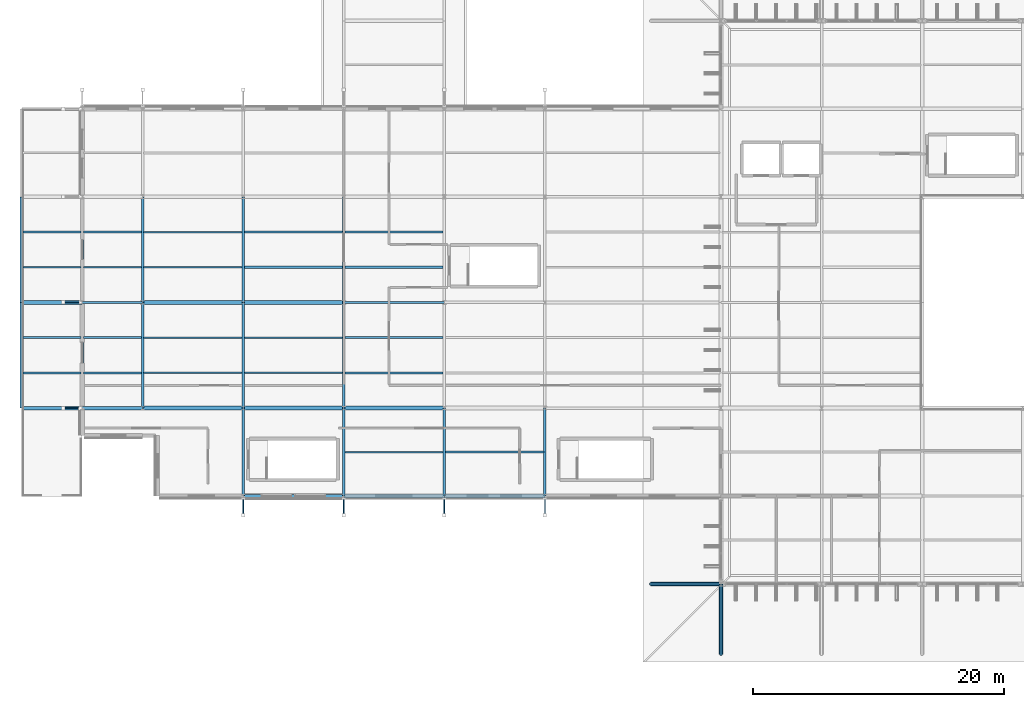
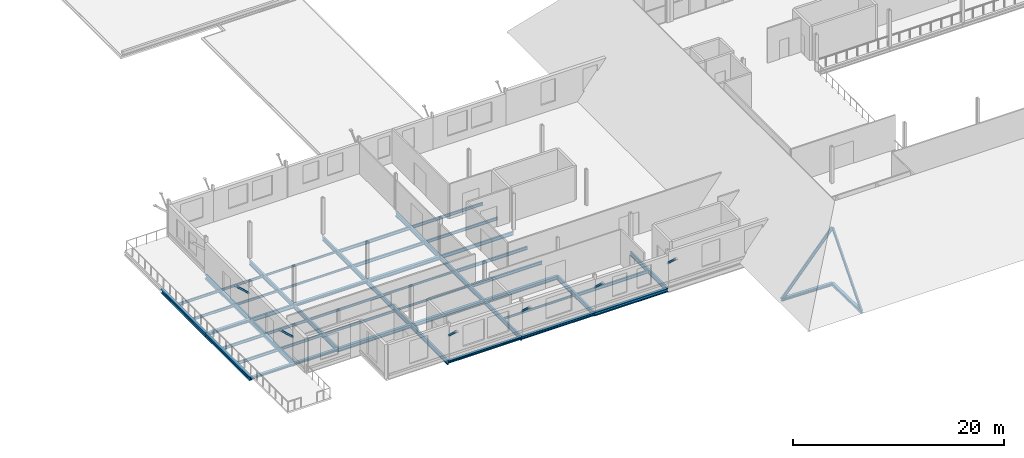
# One storey, part 15 of 93: 51 beams, 8 members.
"""IFC4 building model written with IfcOpenShell, lengths in metres."""

import ifcopenshell
import ifcopenshell.guid

model = None  # the IFC model being written
_history = None  # IfcOwnerHistory: only IFC2X3 demands one
_inside = {}  # id of a spatial element -> (the spatial element, [elements in it])
_under = {}  # id of a project, library or spatial element -> (it, [spatial elements below it])
_declared = {}  # id of a project -> (the project, [libraries it declares])
_typed = {}  # id of a type object -> (the type object, [elements of that type])
_made_of = {}  # id of a material, layer set ... -> (it, [elements and type objects made of it])


def new_model(schema):
    """Start an empty IFC model of exactly this schema.

    Asked for "IFC4X3", IfcOpenShell would pick the latest addendum, in which some entities
    have other attributes; the version numbers below select the first issue.
    IFC2X3 requires an IfcOwnerHistory on every rooted entity: one is made here for all.
    """
    global model, _history
    if schema == "IFC4X3":
        model = ifcopenshell.file(schema_version=(4, 3, 0, 0))
    else:
        model = ifcopenshell.file(schema=schema)
    _inside.clear()
    _under.clear()
    _declared.clear()
    _typed.clear()
    _made_of.clear()
    _history = None
    if model.schema == "IFC2X3":
        org = make("IfcOrganization", Name="unknown")
        user = make(
            "IfcPersonAndOrganization",
            ThePerson=make("IfcPerson", FamilyName="unknown"),
            TheOrganization=org,
        )
        app = make(
            "IfcApplication",
            ApplicationDeveloper=org,
            Version="unknown",
            ApplicationFullName="unknown",
            ApplicationIdentifier="unknown",
        )
        _history = make(
            "IfcOwnerHistory",
            OwningUser=user,
            OwningApplication=app,
            ChangeAction="ADDED",
            CreationDate=0,
        )
    return model


def make(cls, **values):
    """One entity of the class cls with the attributes given. An attribute that is None is left unset."""
    return model.create_entity(
        cls, **{name: value for name, value in values.items() if value is not None}
    )


def rooted(cls, **values):
    """An entity with a GlobalId (a new one), such as an element, a storey or a relation."""
    return make(cls, GlobalId=ifcopenshell.guid.new(), OwnerHistory=_history, **values)


def si_unit(unit_type, name, prefix=None):
    """IfcSIUnit, for example si_unit("LENGTHUNIT", "METRE", prefix="MILLI")."""
    return make("IfcSIUnit", UnitType=unit_type, Prefix=prefix, Name=name)


def assignment(units):
    """IfcUnitAssignment: the units of a project."""
    return None if units is None else make("IfcUnitAssignment", Units=units)


def point(xyz):
    """IfcCartesianPoint."""
    return None if xyz is None else make("IfcCartesianPoint", Coordinates=xyz)


def direction(xyz):
    """IfcDirection."""
    return None if xyz is None else make("IfcDirection", DirectionRatios=xyz)


def frame(location, z_axis=None, x_axis=None):
    """IfcAxis2Placement3D, a coordinate frame: its origin and axes. An axis left out is left unset."""
    return make(
        "IfcAxis2Placement3D",
        Location=point(location),
        Axis=direction(z_axis),
        RefDirection=direction(x_axis),
    )


def frame_2d(location, x_axis=None):
    """IfcAxis2Placement2D, a coordinate frame in the plane: its origin and x axis."""
    return make(
        "IfcAxis2Placement2D", Location=point(location), RefDirection=direction(x_axis)
    )


def origin():
    """The frame at (0, 0, 0) with its axes left unset."""
    return frame((0.0, 0.0, 0.0))


def origin_2d():
    """The frame at (0, 0) in the plane with its x axis left unset."""
    return frame_2d((0.0, 0.0))


def place(relative_to, where):
    """IfcLocalPlacement: puts the frame where relative to a parent placement (None: the world)."""
    return make(
        "IfcLocalPlacement", PlacementRelTo=relative_to, RelativePlacement=where
    )


def context(
    kind, dimensions, precision=None, world=None, true_north=None, identifier=None
):
    """IfcGeometricRepresentationContext, for example the 3D "Model" context."""
    return make(
        "IfcGeometricRepresentationContext",
        ContextIdentifier=identifier,
        ContextType=kind,
        CoordinateSpaceDimension=dimensions,
        Precision=precision,
        WorldCoordinateSystem=world,
        TrueNorth=true_north,
    )


def subcontext(parent, identifier, kind, view, scale=None):
    """IfcGeometricRepresentationSubContext, for example "Body" below "Model"."""
    return make(
        "IfcGeometricRepresentationSubContext",
        ContextIdentifier=identifier,
        ContextType=kind,
        ParentContext=parent,
        TargetScale=scale,
        TargetView=view,
    )


def project(units=None, contexts=None):
    """IfcProject with its units and contexts."""
    return rooted(
        "IfcProject",
        Name="project",
        RepresentationContexts=contexts,
        UnitsInContext=assignment(units),
    )


def spatial(cls, under=None, at=None, **own):
    """A site, building, storey or space (cls), placed at a placement, below another one or the project."""
    s = rooted(cls, ObjectPlacement=at, **own)
    if under is not None:
        _under.setdefault(under.id(), (under, []))[1].append(s)
    return s


def profile(cls, at=None, kind="AREA", **sizes):
    """A parametric profile (cls). Its sizes go by their IFC names, for example OverallWidth=200.0."""
    return make(cls, ProfileType=kind, Position=at, **sizes)


def hollow_rectangle(**sizes):
    """IfcRectangleHollowProfileDef."""
    return profile("IfcRectangleHollowProfileDef", **sizes)


def i_section(**sizes):
    """IfcIShapeProfileDef."""
    return profile("IfcIShapeProfileDef", **sizes)


def extrude(swept, where, along, depth):
    """IfcExtrudedAreaSolid: the profile swept, set in the frame where, extruded along a direction by depth."""
    return make(
        "IfcExtrudedAreaSolid",
        SweptArea=swept,
        Position=where,
        ExtrudedDirection=direction(along),
        Depth=depth,
    )


def shape(context_of_items, identifier, shape_type, items):
    """IfcShapeRepresentation: the items that make up one representation, for example the "Body"."""
    return make(
        "IfcShapeRepresentation",
        ContextOfItems=context_of_items,
        RepresentationIdentifier=identifier,
        RepresentationType=shape_type,
        Items=items,
    )


def material(Name=None, Category=None):
    """IfcMaterial."""
    return make("IfcMaterial", Name=Name, Category=Category)


def material_profile(
    of_material, cross_section, Name=None, Category=None, Priority=None
):
    """IfcMaterialProfile: a cross section and its material."""
    return make(
        "IfcMaterialProfile",
        Name=Name,
        Material=of_material,
        Profile=cross_section,
        Priority=Priority,
        Category=Category,
    )


def profile_set(profiles, Name=None, composite=None):
    """IfcMaterialProfileSet."""
    return make(
        "IfcMaterialProfileSet",
        Name=Name,
        MaterialProfiles=profiles,
        CompositeProfile=composite,
    )


def made_of(thing, what):
    """Note that an element or type object is made of a material, layer set ...; save() writes the relation."""
    if what is not None:
        _made_of.setdefault(what.id(), (what, []))[1].append(thing)
    return thing


def type_object(cls, material=None, **own):
    """A type object (cls), such as IfcWallType, which elements share."""
    return made_of(rooted(cls, **own), material)


def element(
    cls,
    number,
    at=None,
    inside=None,
    cuts=None,
    type_object=None,
    material=None,
    context=None,
    identifier="Body",
    shape_type=None,
    held_by="IfcProductDefinitionShape",
    body=None,
    shapes=None,
    **own,
):
    """One element of the class cls, such as IfcWall. Its Tag is "e" and its number.

    at: its placement. inside: the storey or other place that contains it. cuts: it is an
    opening in that element (IfcRelVoidsElement). A single representation is given by context,
    identifier, shape_type and body (its items); several are given by shapes. held_by: the class
    of the entity that holds the representations. save() writes the other relations.
    """
    e = rooted(cls, Tag="e%d" % number, ObjectPlacement=at, **own)
    if body is not None:
        shapes = [shape(context, identifier, shape_type, body)]
    if shapes is not None:
        e.Representation = make(held_by, Representations=shapes)
    if inside is not None:
        _inside.setdefault(inside.id(), (inside, []))[1].append(e)
    if cuts is not None:
        rooted(
            "IfcRelVoidsElement", RelatingBuildingElement=cuts, RelatedOpeningElement=e
        )
    if type_object is not None:
        _typed.setdefault(type_object.id(), (type_object, []))[1].append(e)
    return made_of(e, material)


def aggregate(whole, parts):
    """IfcRelAggregates: a whole, such as a stair, and the parts it consists of."""
    return rooted("IfcRelAggregates", RelatingObject=whole, RelatedObjects=parts)


def save(model, path):
    """Write the relations noted so far, then the file.

    IfcRelAggregates (storeys below a building ...), IfcRelContainedInSpatialStructure (elements
    in a storey), IfcRelDefinesByType, IfcRelAssociatesMaterial and IfcRelDeclares: one each for
    every whole, place, type object, material and project.
    """
    for whole, parts in _under.values():
        aggregate(whole, parts)
    for where, things in _inside.values():
        rooted(
            "IfcRelContainedInSpatialStructure",
            RelatedElements=things,
            RelatingStructure=where,
        )
    for kind, things in _typed.values():
        rooted("IfcRelDefinesByType", RelatedObjects=things, RelatingType=kind)
    for what, things in _made_of.values():
        rooted("IfcRelAssociatesMaterial", RelatedObjects=things, RelatingMaterial=what)
    for by, libraries in _declared.values():
        rooted("IfcRelDeclares", RelatingContext=by, RelatedDefinitions=libraries)
    model.write(path)


model = new_model("IFC4")

# Units and contexts
model_context = context("Model", 3, precision=1e-05, world=origin(), true_north=direction((0.0, 1.0)))
body_context = subcontext(model_context, "Body", "Model", "MODEL_VIEW")
ifc_project = project(units=[si_unit("LENGTHUNIT", "METRE"), si_unit("AREAUNIT", "SQUARE_METRE"), si_unit("VOLUMEUNIT", "CUBIC_METRE"), si_unit("PLANEANGLEUNIT", "RADIAN"), si_unit("MASSUNIT", "GRAM", prefix="KILO")], contexts=[model_context])

# Site, building, storey
site_placement = place(None, origin())
site = spatial("IfcSite", under=ifc_project, at=site_placement, CompositionType="ELEMENT")
building_placement = place(site_placement, origin())
building = spatial("IfcBuilding", under=site, at=building_placement, Name="Vekula Escarpment Museum", CompositionType="ELEMENT")
storey_placement = place(building_placement, frame((0.0, 0.0, 22.199951171875)))
storey = spatial("IfcBuildingStorey", under=building, at=storey_placement, Name="L05", CompositionType="ELEMENT", Elevation=22.199951171875)

# Beams
ifc_material_1 = material(Name="Steel S355", Category="steel")
ifc_material_profile_1 = material_profile(ifc_material_1, i_section(OverallWidth=0.300048828125, OverallDepth=0.320068359375, WebThickness=0.011474609375, FlangeThickness=0.0205078125, FilletRadius=0.027099609375, at=origin_2d()), Name="HEB 320")
ifc_profile_set_1 = profile_set([ifc_material_profile_1], Name="Steel S355")
beam_type_1 = type_object("IfcBeamType", Name="BM-EAVE-OUT", PredefinedType="BEAM", material=ifc_profile_set_1)
for number, where, z_axis, x_axis, name in (
    (1, (70.0, 45.60009765625, -0.39990234375), (0.0, -0.999770980386, 0.021400625659), (1.0, 0.0, 0.0), "Great Hall South Eave Outrigger 70"),
    (2, (70.0, 45.60009765625, -0.39990234375), (-0.999770980386, 0.0, 0.021400625659), (0.0, -1.0, 0.0), "Great Hall West Eave Outrigger 45"),
):
    element("IfcBeam", number, at=place(storey_placement, frame(where, z_axis=z_axis, x_axis=x_axis)), inside=storey, type_object=beam_type_1, Name=name, PredefinedType="BEAM", context=body_context, shape_type="SweptSolid", body=[
        extrude(i_section(OverallWidth=0.300048828125, OverallDepth=0.320068359375, WebThickness=0.011474609375, FlangeThickness=0.0205078125, FilletRadius=0.027099609375, at=origin_2d()), origin(), (0.0, 0.0, 1.0), 5.601318359375),
    ])
ifc_material_2 = material(Name="Steel S355", Category="steel")
ifc_material_profile_2 = material_profile(ifc_material_2, i_section(OverallWidth=0.280029296875, OverallDepth=0.280029296875, WebThickness=0.010498046875, FlangeThickness=0.01806640625, FilletRadius=0.02392578125, at=origin_2d()), Name="HEB 280")
ifc_profile_set_2 = profile_set([ifc_material_profile_2], Name="Steel S355")
beam_type_2 = type_object("IfcBeamType", Name="BM-GIRD-HEB280", PredefinedType="BEAM", material=ifc_profile_set_2)
beam_1_placement = place(storey_placement, frame((32.0, 52.60009765625, -0.35986328125), z_axis=(1.0, 0.0, 0.0), x_axis=(0.0, 1.0, 0.0)))
element("IfcBeam", 3, at=beam_1_placement, inside=storey, type_object=beam_type_2, Name="Beam X L05 1962", PredefinedType="BEAM", context=body_context, shape_type="SweptSolid", body=[
    extrude(i_section(OverallWidth=0.280029296875, OverallDepth=0.280029296875, WebThickness=0.010498046875, FlangeThickness=0.01806640625, FilletRadius=0.02392578125, at=origin_2d()), origin(), (0.0, 0.0, 1.0), 8.0),
])
ifc_material_3 = material(Name="Steel S355", Category="steel")
ifc_material_profile_3 = material_profile(ifc_material_3, i_section(OverallWidth=0.300048828125, OverallDepth=0.320068359375, WebThickness=0.011474609375, FlangeThickness=0.0205078125, FilletRadius=0.027099609375, at=origin_2d()), Name="HEB 320")
ifc_profile_set_3 = profile_set([ifc_material_profile_3], Name="Steel S355")
beam_type_3 = type_object("IfcBeamType", Name="BM-GIRD-HEB320", PredefinedType="BEAM", material=ifc_profile_set_3)
beam_2_placement = place(storey_placement, frame((40.0, 52.60009765625, -0.3798828125), z_axis=(1.0, 0.0, 0.0), x_axis=(0.0, 1.0, 0.0)))
element("IfcBeam", 4, at=beam_2_placement, inside=storey, type_object=beam_type_3, Name="Beam X L05 1963", PredefinedType="BEAM", context=body_context, shape_type="SweptSolid", body=[
    extrude(i_section(OverallWidth=0.300048828125, OverallDepth=0.320068359375, WebThickness=0.011474609375, FlangeThickness=0.0205078125, FilletRadius=0.027099609375, at=origin_2d()), origin(), (0.0, 0.0, 1.0), 8.0),
])
beam_3_placement = place(storey_placement, frame((14.39990234375, 68.0, -0.3798828125), z_axis=(1.0, 0.0, 0.0), x_axis=(0.0, 1.0, 0.0)))
element("IfcBeam", 5, at=beam_3_placement, inside=storey, type_object=beam_type_3, Name="Beam X L05 1992", PredefinedType="BEAM", context=body_context, shape_type="SweptSolid", body=[
    extrude(i_section(OverallWidth=0.300048828125, OverallDepth=0.320068359375, WebThickness=0.011474609375, FlangeThickness=0.0205078125, FilletRadius=0.027099609375, at=origin_2d()), origin(), (0.0, 0.0, 1.0), 4.800048828125),
])
beam_4_placement = place(storey_placement, frame((24.0, 68.0, -0.3798828125), z_axis=(1.0, 0.0, 0.0), x_axis=(0.0, 1.0, 0.0)))
element("IfcBeam", 6, at=beam_4_placement, inside=storey, type_object=beam_type_3, Name="Beam X L05 1994", PredefinedType="BEAM", context=body_context, shape_type="SweptSolid", body=[
    extrude(i_section(OverallWidth=0.300048828125, OverallDepth=0.320068359375, WebThickness=0.011474609375, FlangeThickness=0.0205078125, FilletRadius=0.027099609375, at=origin_2d()), origin(), (0.0, 0.0, 1.0), 8.0),
])
ifc_material_4 = material(Name="Steel S355", Category="steel")
ifc_material_profile_4 = material_profile(ifc_material_4, i_section(OverallWidth=0.300048828125, OverallDepth=0.39990234375, WebThickness=0.013427734375, FlangeThickness=0.02392578125, FilletRadius=0.027099609375, at=origin_2d()), Name="HEB 400")
ifc_profile_set_4 = profile_set([ifc_material_profile_4], Name="Steel S355")
beam_type_4 = type_object("IfcBeamType", Name="BM-GIRD-HEB400", PredefinedType="BEAM", material=ifc_profile_set_4)
for number, where, z_axis, x_axis, name in (
    (7, (48.0, 52.60009765625, -0.419921875), (1.0, 0.0, 0.0), (0.0, 1.0, 0.0), "Beam X L05 1964"),
    (8, (32.0, 68.0, -0.419921875), (1.0, 0.0, 0.0), (0.0, 1.0, 0.0), "Beam X L05 1995"),
):
    element("IfcBeam", number, at=place(storey_placement, frame(where, z_axis=z_axis, x_axis=x_axis)), inside=storey, type_object=beam_type_4, Name=name, PredefinedType="BEAM", context=body_context, shape_type="SweptSolid", body=[
        extrude(i_section(OverallWidth=0.300048828125, OverallDepth=0.39990234375, WebThickness=0.013427734375, FlangeThickness=0.02392578125, FilletRadius=0.027099609375, at=origin_2d()), origin(), (0.0, 0.0, 1.0), 8.0),
    ])
ifc_material_5 = material(Name="Steel S355", Category="steel")
ifc_material_profile_5 = material_profile(ifc_material_5, i_section(OverallWidth=0.179931640625, OverallDepth=0.39990234375, WebThickness=0.008544921875, FlangeThickness=0.013427734375, FilletRadius=0.02099609375, at=origin_2d()), Name="IPE 400")
ifc_profile_set_5 = profile_set([ifc_material_profile_5], Name="Steel S355")
beam_type_5 = type_object("IfcBeamType", Name="BM-GIRD-IPE400", PredefinedType="BEAM", material=ifc_profile_set_5)
beam_5_placement = place(storey_placement, frame((40.0, 68.0, -0.419921875), z_axis=(1.0, 0.0, 0.0), x_axis=(0.0, 1.0, 0.0)))
element("IfcBeam", 9, at=beam_5_placement, inside=storey, type_object=beam_type_5, Name="Beam X L05 1996", PredefinedType="BEAM", context=body_context, shape_type="SweptSolid", body=[
    extrude(i_section(OverallWidth=0.179931640625, OverallDepth=0.39990234375, WebThickness=0.008544921875, FlangeThickness=0.013427734375, FilletRadius=0.02099609375, at=origin_2d()), origin(), (0.0, 0.0, 1.0), 8.0),
])
ifc_material_6 = material(Name="Steel S355", Category="steel")
ifc_material_profile_6 = material_profile(ifc_material_6, i_section(OverallWidth=0.18994140625, OverallDepth=0.449951171875, WebThickness=0.009521484375, FlangeThickness=0.0146484375, FilletRadius=0.02099609375, at=origin_2d()), Name="IPE 450")
ifc_profile_set_6 = profile_set([ifc_material_profile_6], Name="Steel S355")
beam_type_6 = type_object("IfcBeamType", Name="BM-GIRD-IPE450", PredefinedType="BEAM", material=ifc_profile_set_6)
beam_6_placement = place(storey_placement, frame((19.199951171875, 68.0, -0.445068359375), z_axis=(1.0, 0.0, 0.0), x_axis=(0.0, 1.0, 0.0)))
element("IfcBeam", 10, at=beam_6_placement, inside=storey, type_object=beam_type_6, Name="Beam X L05 1993", PredefinedType="BEAM", context=body_context, shape_type="SweptSolid", body=[
    extrude(i_section(OverallWidth=0.18994140625, OverallDepth=0.449951171875, WebThickness=0.009521484375, FlangeThickness=0.0146484375, FilletRadius=0.02099609375, at=origin_2d()), origin(), (0.0, 0.0, 1.0), 4.800048828125),
])
ifc_material_7 = material(Name="Steel S355", Category="steel")
ifc_material_profile_7 = material_profile(ifc_material_7, i_section(OverallWidth=0.199951171875, OverallDepth=0.5, WebThickness=0.01025390625, FlangeThickness=0.01611328125, FilletRadius=0.02099609375, at=origin_2d()), Name="IPE 500")
ifc_profile_set_7 = profile_set([ifc_material_profile_7], Name="Steel S355")
beam_type_7 = type_object("IfcBeamType", Name="BM-GIRD-IPE500", PredefinedType="BEAM", material=ifc_profile_set_7)
for number, where, z_axis, x_axis, name in (
    (11, (24.0, 59.60009765625, -0.469970703125), (0.0, 1.0, 0.0), (-1.0, 0.0, 0.0), "Beam Y L05 2085"),
    (12, (24.0, 68.0, -0.469970703125), (0.0, 1.0, 0.0), (-1.0, 0.0, 0.0), "Beam Y L05 2086"),
):
    element("IfcBeam", number, at=place(storey_placement, frame(where, z_axis=z_axis, x_axis=x_axis)), inside=storey, type_object=beam_type_7, Name=name, PredefinedType="BEAM", context=body_context, shape_type="SweptSolid", body=[
        extrude(i_section(OverallWidth=0.199951171875, OverallDepth=0.5, WebThickness=0.01025390625, FlangeThickness=0.01611328125, FilletRadius=0.02099609375, at=origin_2d()), origin(), (0.0, 0.0, 1.0), 8.39990234375),
    ])
beam_7_placement = place(storey_placement, frame((32.0, 52.60009765625, -0.469970703125), z_axis=(0.0, 1.0, 0.0), x_axis=(-1.0, 0.0, 0.0)))
element("IfcBeam", 13, at=beam_7_placement, inside=storey, type_object=beam_type_7, Name="Beam Y L05 2088", PredefinedType="BEAM", context=body_context, shape_type="SweptSolid", body=[
    extrude(i_section(OverallWidth=0.199951171875, OverallDepth=0.5, WebThickness=0.01025390625, FlangeThickness=0.01611328125, FilletRadius=0.02099609375, at=origin_2d()), origin(), (0.0, 0.0, 1.0), 7.0),
])
for number, where, z_axis, x_axis, name in (
    (14, (32.0, 59.60009765625, -0.469970703125), (0.0, 1.0, 0.0), (-1.0, 0.0, 0.0), "Beam Y L05 2089"),
    (15, (32.0, 68.0, -0.469970703125), (0.0, 1.0, 0.0), (-1.0, 0.0, 0.0), "Beam Y L05 2090"),
):
    element("IfcBeam", number, at=place(storey_placement, frame(where, z_axis=z_axis, x_axis=x_axis)), inside=storey, type_object=beam_type_7, Name=name, PredefinedType="BEAM", context=body_context, shape_type="SweptSolid", body=[
        extrude(i_section(OverallWidth=0.199951171875, OverallDepth=0.5, WebThickness=0.01025390625, FlangeThickness=0.01611328125, FilletRadius=0.02099609375, at=origin_2d()), origin(), (0.0, 0.0, 1.0), 8.39990234375),
    ])
beam_8_placement = place(storey_placement, frame((40.0, 52.60009765625, -0.469970703125), z_axis=(0.0, 1.0, 0.0), x_axis=(-1.0, 0.0, 0.0)))
element("IfcBeam", 16, at=beam_8_placement, inside=storey, type_object=beam_type_7, Name="Beam Y L05 2094", PredefinedType="BEAM", context=body_context, shape_type="SweptSolid", body=[
    extrude(i_section(OverallWidth=0.199951171875, OverallDepth=0.5, WebThickness=0.01025390625, FlangeThickness=0.01611328125, FilletRadius=0.02099609375, at=origin_2d()), origin(), (0.0, 0.0, 1.0), 7.0),
])
for number, where, z_axis, x_axis, name in (
    (17, (40.0, 59.60009765625, -0.469970703125), (0.0, 1.0, 0.0), (-1.0, 0.0, 0.0), "Beam Y L05 2095"),
    (18, (40.0, 68.0, -0.469970703125), (0.0, 1.0, 0.0), (-1.0, 0.0, 0.0), "Beam Y L05 2096"),
):
    element("IfcBeam", number, at=place(storey_placement, frame(where, z_axis=z_axis, x_axis=x_axis)), inside=storey, type_object=beam_type_7, Name=name, PredefinedType="BEAM", context=body_context, shape_type="SweptSolid", body=[
        extrude(i_section(OverallWidth=0.199951171875, OverallDepth=0.5, WebThickness=0.01025390625, FlangeThickness=0.01611328125, FilletRadius=0.02099609375, at=origin_2d()), origin(), (0.0, 0.0, 1.0), 8.39990234375),
    ])
for number, where, z_axis, x_axis, name in (
    (19, (48.0, 52.60009765625, -0.469970703125), (0.0, 1.0, 0.0), (-1.0, 0.0, 0.0), "Beam Y L05 2104"),
    (20, (56.0, 52.60009765625, -0.469970703125), (0.0, 1.0, 0.0), (-1.0, 0.0, 0.0), "Beam Y L05 2115"),
):
    element("IfcBeam", number, at=place(storey_placement, frame(where, z_axis=z_axis, x_axis=x_axis)), inside=storey, type_object=beam_type_7, Name=name, PredefinedType="BEAM", context=body_context, shape_type="SweptSolid", body=[
        extrude(i_section(OverallWidth=0.199951171875, OverallDepth=0.5, WebThickness=0.01025390625, FlangeThickness=0.01611328125, FilletRadius=0.02099609375, at=origin_2d()), origin(), (0.0, 0.0, 1.0), 7.0),
    ])
ifc_material_8 = material(Name="Steel S355", Category="steel")
ifc_material_profile_8 = material_profile(ifc_material_8, i_section(OverallWidth=0.1201171875, OverallDepth=0.239990234375, WebThickness=0.006103515625, FlangeThickness=0.009765625, FilletRadius=0.014892578125, at=origin_2d()), Name="IPE 240")
ifc_profile_set_8 = profile_set([ifc_material_profile_8], Name="Steel S355")
beam_type_8 = type_object("IfcBeamType", Name="BM-JST-IPE240", PredefinedType="JOIST", material=ifc_profile_set_8)
for number, where, z_axis, x_axis, name in (
    (21, (24.090087890625, 70.800048828125, -0.33984375), (1.0, 0.0, 0.0), (0.0, 1.0, 0.0), "Secondary Joist L05 1300"),
    (22, (24.090087890625, 73.60009765625, -0.33984375), (1.0, 0.0, 0.0), (0.0, 1.0, 0.0), "Secondary Joist L05 1301"),
    (23, (32.090087890625, 62.39990234375, -0.33984375), (1.0, 0.0, 0.0), (0.0, 1.0, 0.0), "Secondary Joist L05 1303"),
    (24, (32.090087890625, 65.199951171875, -0.33984375), (1.0, 0.0, 0.0), (0.0, 1.0, 0.0), "Secondary Joist L05 1304"),
    (25, (40.090087890625, 56.10009765625, -0.33984375), (1.0, 0.0, 0.0), (0.0, 1.0, 0.0), "Secondary Joist L05 1310"),
):
    element("IfcBeam", number, at=place(storey_placement, frame(where, z_axis=z_axis, x_axis=x_axis)), inside=storey, type_object=beam_type_8, Name=name, PredefinedType="JOIST", context=body_context, shape_type="SweptSolid", body=[
        extrude(i_section(OverallWidth=0.1201171875, OverallDepth=0.239990234375, WebThickness=0.006103515625, FlangeThickness=0.009765625, FilletRadius=0.014892578125, at=origin_2d()), origin(), (0.0, 0.0, 1.0), 7.81982421875),
    ])
ifc_material_9 = material(Name="Steel S355", Category="steel")
ifc_material_profile_9 = material_profile(ifc_material_9, i_section(OverallWidth=0.135009765625, OverallDepth=0.27001953125, WebThickness=0.006591796875, FlangeThickness=0.01025390625, FilletRadius=0.014892578125, at=origin_2d()), Name="IPE 270")
ifc_profile_set_9 = profile_set([ifc_material_profile_9], Name="Steel S355")
beam_type_9 = type_object("IfcBeamType", Name="BM-JST-IPE270", PredefinedType="JOIST", material=ifc_profile_set_9)
for number, where, z_axis, x_axis, name in (
    (26, (19.2900390625, 70.800048828125, -0.35498046875), (1.0, 0.0, 0.0), (0.0, 1.0, 0.0), "Secondary Joist L05 1295"),
    (27, (19.2900390625, 73.60009765625, -0.35498046875), (1.0, 0.0, 0.0), (0.0, 1.0, 0.0), "Secondary Joist L05 1296"),
):
    element("IfcBeam", number, at=place(storey_placement, frame(where, z_axis=z_axis, x_axis=x_axis)), inside=storey, type_object=beam_type_9, Name=name, PredefinedType="JOIST", context=body_context, shape_type="SweptSolid", body=[
        extrude(i_section(OverallWidth=0.135009765625, OverallDepth=0.27001953125, WebThickness=0.006591796875, FlangeThickness=0.01025390625, FilletRadius=0.014892578125, at=origin_2d()), origin(), (0.0, 0.0, 1.0), 4.619873046875),
    ])
for number, where, z_axis, x_axis, name in (
    (28, (24.090087890625, 62.39990234375, -0.35498046875), (1.0, 0.0, 0.0), (0.0, 1.0, 0.0), "Secondary Joist L05 1298"),
    (29, (24.090087890625, 65.199951171875, -0.35498046875), (1.0, 0.0, 0.0), (0.0, 1.0, 0.0), "Secondary Joist L05 1299"),
):
    element("IfcBeam", number, at=place(storey_placement, frame(where, z_axis=z_axis, x_axis=x_axis)), inside=storey, type_object=beam_type_9, Name=name, PredefinedType="JOIST", context=body_context, shape_type="SweptSolid", body=[
        extrude(i_section(OverallWidth=0.135009765625, OverallDepth=0.27001953125, WebThickness=0.006591796875, FlangeThickness=0.01025390625, FilletRadius=0.014892578125, at=origin_2d()), origin(), (0.0, 0.0, 1.0), 7.81982421875),
    ])
ifc_material_10 = material(Name="Steel S355", Category="steel")
ifc_material_profile_10 = material_profile(ifc_material_10, i_section(OverallWidth=0.14990234375, OverallDepth=0.300048828125, WebThickness=0.007080078125, FlangeThickness=0.0107421875, FilletRadius=0.014892578125, at=origin_2d()), Name="IPE 300")
ifc_profile_set_10 = profile_set([ifc_material_profile_10], Name="Steel S355")
beam_type_10 = type_object("IfcBeamType", Name="BM-JST-IPE300", PredefinedType="JOIST", material=ifc_profile_set_10)
for number, where, z_axis, x_axis, name in (
    (30, (14.489990234375, 70.800048828125, -0.369873046875), (1.0, 0.0, 0.0), (0.0, 1.0, 0.0), "Secondary Joist L05 1290"),
    (31, (14.489990234375, 73.60009765625, -0.369873046875), (1.0, 0.0, 0.0), (0.0, 1.0, 0.0), "Secondary Joist L05 1291"),
):
    element("IfcBeam", number, at=place(storey_placement, frame(where, z_axis=z_axis, x_axis=x_axis)), inside=storey, type_object=beam_type_10, Name=name, PredefinedType="JOIST", context=body_context, shape_type="SweptSolid", body=[
        extrude(i_section(OverallWidth=0.14990234375, OverallDepth=0.300048828125, WebThickness=0.007080078125, FlangeThickness=0.0107421875, FilletRadius=0.014892578125, at=origin_2d()), origin(), (0.0, 0.0, 1.0), 4.6201171875),
    ])
for number, where, z_axis, x_axis, name in (
    (32, (19.2900390625, 62.39990234375, -0.369873046875), (1.0, 0.0, 0.0), (0.0, 1.0, 0.0), "Secondary Joist L05 1293"),
    (33, (19.2900390625, 65.199951171875, -0.369873046875), (1.0, 0.0, 0.0), (0.0, 1.0, 0.0), "Secondary Joist L05 1294"),
):
    element("IfcBeam", number, at=place(storey_placement, frame(where, z_axis=z_axis, x_axis=x_axis)), inside=storey, type_object=beam_type_10, Name=name, PredefinedType="JOIST", context=body_context, shape_type="SweptSolid", body=[
        extrude(i_section(OverallWidth=0.14990234375, OverallDepth=0.300048828125, WebThickness=0.007080078125, FlangeThickness=0.0107421875, FilletRadius=0.014892578125, at=origin_2d()), origin(), (0.0, 0.0, 1.0), 4.619873046875),
    ])
ifc_material_11 = material(Name="Steel S355", Category="steel")
ifc_material_profile_11 = material_profile(ifc_material_11, i_section(OverallWidth=0.159912109375, OverallDepth=0.330078125, WebThickness=0.007568359375, FlangeThickness=0.011474609375, FilletRadius=0.01806640625, at=origin_2d()), Name="IPE 330")
ifc_profile_set_11 = profile_set([ifc_material_profile_11], Name="Steel S355")
beam_type_11 = type_object("IfcBeamType", Name="BM-JST-IPE330", PredefinedType="JOIST", material=ifc_profile_set_11)
for number, where, z_axis, x_axis, name in (
    (34, (14.489990234375, 62.39990234375, -0.385009765625), (1.0, 0.0, 0.0), (0.0, 1.0, 0.0), "Secondary Joist L05 1288"),
    (35, (14.489990234375, 65.199951171875, -0.385009765625), (1.0, 0.0, 0.0), (0.0, 1.0, 0.0), "Secondary Joist L05 1289"),
):
    element("IfcBeam", number, at=place(storey_placement, frame(where, z_axis=z_axis, x_axis=x_axis)), inside=storey, type_object=beam_type_11, Name=name, PredefinedType="JOIST", context=body_context, shape_type="SweptSolid", body=[
        extrude(i_section(OverallWidth=0.159912109375, OverallDepth=0.330078125, WebThickness=0.007568359375, FlangeThickness=0.011474609375, FilletRadius=0.01806640625, at=origin_2d()), origin(), (0.0, 0.0, 1.0), 4.6201171875),
    ])
for number, where, z_axis, x_axis, name in (
    (36, (40.090087890625, 70.800048828125, -0.385009765625), (1.0, 0.0, 0.0), (0.0, 1.0, 0.0), "Secondary Joist L05 1313"),
    (37, (40.090087890625, 73.60009765625, -0.385009765625), (1.0, 0.0, 0.0), (0.0, 1.0, 0.0), "Secondary Joist L05 1314"),
):
    element("IfcBeam", number, at=place(storey_placement, frame(where, z_axis=z_axis, x_axis=x_axis)), inside=storey, type_object=beam_type_11, Name=name, PredefinedType="JOIST", context=body_context, shape_type="SweptSolid", body=[
        extrude(i_section(OverallWidth=0.159912109375, OverallDepth=0.330078125, WebThickness=0.007568359375, FlangeThickness=0.011474609375, FilletRadius=0.01806640625, at=origin_2d()), origin(), (0.0, 0.0, 1.0), 7.81982421875),
    ])
ifc_material_12 = material(Name="Steel S355", Category="steel")
ifc_material_profile_12 = material_profile(ifc_material_12, i_section(OverallWidth=0.169921875, OverallDepth=0.360107421875, WebThickness=0.008056640625, FlangeThickness=0.0126953125, FilletRadius=0.01806640625, at=origin_2d()), Name="IPE 360")
ifc_profile_set_12 = profile_set([ifc_material_profile_12], Name="Steel S355")
beam_type_12 = type_object("IfcBeamType", Name="BM-JST-IPE360", PredefinedType="JOIST", material=ifc_profile_set_12)
for number, where, z_axis, x_axis, name in (
    (38, (32.090087890625, 70.800048828125, -0.39990234375), (1.0, 0.0, 0.0), (0.0, 1.0, 0.0), "Secondary Joist L05 1305"),
    (39, (32.090087890625, 73.60009765625, -0.39990234375), (1.0, 0.0, 0.0), (0.0, 1.0, 0.0), "Secondary Joist L05 1306"),
    (40, (40.090087890625, 62.39990234375, -0.39990234375), (1.0, 0.0, 0.0), (0.0, 1.0, 0.0), "Secondary Joist L05 1311"),
    (41, (40.090087890625, 65.199951171875, -0.39990234375), (1.0, 0.0, 0.0), (0.0, 1.0, 0.0), "Secondary Joist L05 1312"),
    (42, (48.090087890625, 56.10009765625, -0.39990234375), (1.0, 0.0, 0.0), (0.0, 1.0, 0.0), "Secondary Joist L05 1327"),
):
    element("IfcBeam", number, at=place(storey_placement, frame(where, z_axis=z_axis, x_axis=x_axis)), inside=storey, type_object=beam_type_12, Name=name, PredefinedType="JOIST", context=body_context, shape_type="SweptSolid", body=[
        extrude(i_section(OverallWidth=0.169921875, OverallDepth=0.360107421875, WebThickness=0.008056640625, FlangeThickness=0.0126953125, FilletRadius=0.01806640625, at=origin_2d()), origin(), (0.0, 0.0, 1.0), 7.81982421875),
    ])
ifc_material_13 = material(Name="Steel S355", Category="steel")
ifc_material_profile_13 = material_profile(ifc_material_13, i_section(OverallWidth=0.280029296875, OverallDepth=0.27001953125, WebThickness=0.008056640625, FlangeThickness=0.012939453125, FilletRadius=0.02392578125, at=origin_2d()), Name="HEA 280")
ifc_profile_set_13 = profile_set([ifc_material_profile_13], Name="Steel S355")
beam_type_13 = type_object("IfcBeamType", Name="BM-SPAN-HEA280", PredefinedType="SPANDREL", material=ifc_profile_set_13)
for number, where, z_axis, x_axis, name in (
    (43, (14.39990234375, 59.60009765625, -0.35498046875), (1.0, 0.0, 0.0), (0.0, 1.0, 0.0), "Beam X L05 1975"),
    (44, (19.199951171875, 59.60009765625, -0.35498046875), (1.0, 0.0, 0.0), (0.0, 1.0, 0.0), "Beam X L05 1976"),
):
    element("IfcBeam", number, at=place(storey_placement, frame(where, z_axis=z_axis, x_axis=x_axis)), inside=storey, type_object=beam_type_13, Name=name, PredefinedType="SPANDREL", context=body_context, shape_type="SweptSolid", body=[
        extrude(i_section(OverallWidth=0.280029296875, OverallDepth=0.27001953125, WebThickness=0.008056640625, FlangeThickness=0.012939453125, FilletRadius=0.02392578125, at=origin_2d()), origin(), (0.0, 0.0, 1.0), 4.800048828125),
    ])
ifc_material_14 = material(Name="Steel S355", Category="steel")
ifc_material_profile_14 = material_profile(ifc_material_14, i_section(OverallWidth=0.300048828125, OverallDepth=0.389892578125, WebThickness=0.010986328125, FlangeThickness=0.01904296875, FilletRadius=0.027099609375, at=origin_2d()), Name="HEA 400")
ifc_profile_set_14 = profile_set([ifc_material_profile_14], Name="Steel S355")
beam_type_14 = type_object("IfcBeamType", Name="BM-SPAN-HEA400", PredefinedType="SPANDREL", material=ifc_profile_set_14)
for number, where, z_axis, x_axis, name in (
    (45, (24.0, 59.60009765625, -0.4150390625), (1.0, 0.0, 0.0), (0.0, 1.0, 0.0), "Beam X L05 1977"),
    (46, (32.0, 59.60009765625, -0.4150390625), (1.0, 0.0, 0.0), (0.0, 1.0, 0.0), "Beam X L05 1978"),
    (47, (40.0, 59.60009765625, -0.4150390625), (1.0, 0.0, 0.0), (0.0, 1.0, 0.0), "Beam X L05 1979"),
):
    element("IfcBeam", number, at=place(storey_placement, frame(where, z_axis=z_axis, x_axis=x_axis)), inside=storey, type_object=beam_type_14, Name=name, PredefinedType="SPANDREL", context=body_context, shape_type="SweptSolid", body=[
        extrude(i_section(OverallWidth=0.300048828125, OverallDepth=0.389892578125, WebThickness=0.010986328125, FlangeThickness=0.01904296875, FilletRadius=0.027099609375, at=origin_2d()), origin(), (0.0, 0.0, 1.0), 8.0),
    ])
ifc_material_15 = material(Name="Steel S355", Category="steel")
ifc_material_profile_15 = material_profile(ifc_material_15, i_section(OverallWidth=0.300048828125, OverallDepth=0.43994140625, WebThickness=0.011474609375, FlangeThickness=0.02099609375, FilletRadius=0.027099609375, at=origin_2d()), Name="HEA 450")
ifc_profile_set_15 = profile_set([ifc_material_profile_15], Name="Steel S355")
beam_type_15 = type_object("IfcBeamType", Name="BM-SPAN-HEA450", PredefinedType="SPANDREL", material=ifc_profile_set_15)
for number, where, z_axis, x_axis, name in (
    (48, (14.39990234375, 59.60009765625, -0.419921875), (0.0, 1.0, 0.0), (-1.0, 0.0, 0.0), "Beam Y L05 2079"),
    (49, (14.39990234375, 68.0, -0.419921875), (0.0, 1.0, 0.0), (-1.0, 0.0, 0.0), "Beam Y L05 2080"),
    (50, (19.199951171875, 59.60009765625, -0.43994140625), (0.0, 1.0, 0.0), (-1.0, 0.0, 0.0), "Beam Y L05 2082"),
    (51, (19.199951171875, 68.0, -0.43994140625), (0.0, 1.0, 0.0), (-1.0, 0.0, 0.0), "Beam Y L05 2083"),
):
    element("IfcBeam", number, at=place(storey_placement, frame(where, z_axis=z_axis, x_axis=x_axis)), inside=storey, type_object=beam_type_15, Name=name, PredefinedType="SPANDREL", context=body_context, shape_type="SweptSolid", body=[
        extrude(i_section(OverallWidth=0.300048828125, OverallDepth=0.43994140625, WebThickness=0.011474609375, FlangeThickness=0.02099609375, FilletRadius=0.027099609375, at=origin_2d()), origin(), (0.0, 0.0, 1.0), 8.39990234375),
    ])

# Members
ifc_material_16 = material(Name="Steel S355", Category="steel")
ifc_material_profile_16 = material_profile(ifc_material_16, hollow_rectangle(XDim=0.10009765625, YDim=0.199951171875, WallThickness=0.008056640625, InnerFilletRadius=0.008056640625, OuterFilletRadius=0.01611328125, at=origin_2d()), Name="RHS 200x100x8")
ifc_profile_set_16 = profile_set([ifc_material_profile_16], Name="Steel S355")
member_type_1 = type_object("IfcMemberType", Name="MB-SACAK-BRK", PredefinedType="STRUT", material=ifc_profile_set_16)
for number, where, z_axis, x_axis, name in (
    (52, (19.080078125, 59.60009765625, 2.75), (-0.738513776389, 0.0, 0.674238386688), (0.0, -1.0, 0.0), "Ottoman Sacak Eave Bracket L06-0127"),
    (53, (19.080078125, 68.0, 2.75), (-0.738513776389, 0.0, 0.674238386688), (0.0, -1.0, 0.0), "Ottoman Sacak Eave Bracket L06-0128"),
):
    element("IfcMember", number, at=place(storey_placement, frame(where, z_axis=z_axis, x_axis=x_axis)), inside=storey, type_object=member_type_1, Name=name, PredefinedType="STRUT", context=body_context, shape_type="SweptSolid", body=[
        extrude(hollow_rectangle(XDim=0.10009765625, YDim=0.199951171875, WallThickness=0.008056640625, InnerFilletRadius=0.008056640625, OuterFilletRadius=0.01611328125, at=origin_2d()), origin(), (0.0, 0.0, 1.0), 1.868896484375),
    ])
for number, where, z_axis, x_axis, name in (
    (54, (32.0, 52.47998046875, 2.75), (0.0, -0.738454378718, 0.674303441006), (1.0, 0.0, 0.0), "Ottoman Sacak Eave Bracket L06-0133"),
    (55, (40.0, 52.47998046875, 2.75), (0.0, -0.738454378718, 0.674303441006), (1.0, 0.0, 0.0), "Ottoman Sacak Eave Bracket L06-0135"),
    (56, (48.0, 52.47998046875, 2.75), (0.0, -0.738454378718, 0.674303441006), (1.0, 0.0, 0.0), "Ottoman Sacak Eave Bracket L06-0137"),
    (57, (56.0, 52.47998046875, 2.75), (0.0, -0.738454378718, 0.674303441006), (1.0, 0.0, 0.0), "Ottoman Sacak Eave Bracket L06-0139"),
):
    element("IfcMember", number, at=place(storey_placement, frame(where, z_axis=z_axis, x_axis=x_axis)), inside=storey, type_object=member_type_1, Name=name, PredefinedType="STRUT", context=body_context, shape_type="SweptSolid", body=[
        extrude(hollow_rectangle(XDim=0.10009765625, YDim=0.199951171875, WallThickness=0.008056640625, InnerFilletRadius=0.008056640625, OuterFilletRadius=0.01611328125, at=origin_2d()), origin(), (0.0, 0.0, 1.0), 1.86865234375),
    ])
ifc_material_17 = material(Name="Steel S355", Category="steel")
ifc_material_profile_17 = material_profile(ifc_material_17, i_section(OverallWidth=0.159912109375, OverallDepth=0.330078125, WebThickness=0.007568359375, FlangeThickness=0.011474609375, FilletRadius=0.01806640625, at=origin_2d()), Name="IPE 330")
ifc_profile_set_17 = profile_set([ifc_material_profile_17], Name="Steel S355")
member_type_2 = type_object("IfcMemberType", Name="MB-SKIRT-RAFTER", PredefinedType="CHORD", material=ifc_profile_set_17)
for number, where, z_axis, x_axis, name in (
    (58, (70.0, 40.050048828125, -0.280029296875), (0.0, 0.654565426105, 0.756005359073), (-1.0, 0.0, 0.0), "Truncated-Hip Rafter South 70"),
    (59, (64.449951171875, 45.60009765625, -0.280029296875), (0.654565426105, 0.0, 0.756005359073), (0.0, 1.0, 0.0), "Truncated-Hip Rafter West 45"),
):
    element("IfcMember", number, at=place(storey_placement, frame(where, z_axis=z_axis, x_axis=x_axis)), inside=storey, type_object=member_type_2, Name=name, PredefinedType="CHORD", context=body_context, shape_type="SweptSolid", body=[
        extrude(i_section(OverallWidth=0.159912109375, OverallDepth=0.330078125, WebThickness=0.007568359375, FlangeThickness=0.011474609375, FilletRadius=0.01806640625, at=origin_2d()), origin(), (0.0, 0.0, 1.0), 8.47900390625),
    ])

save(model, "model.ifc")
